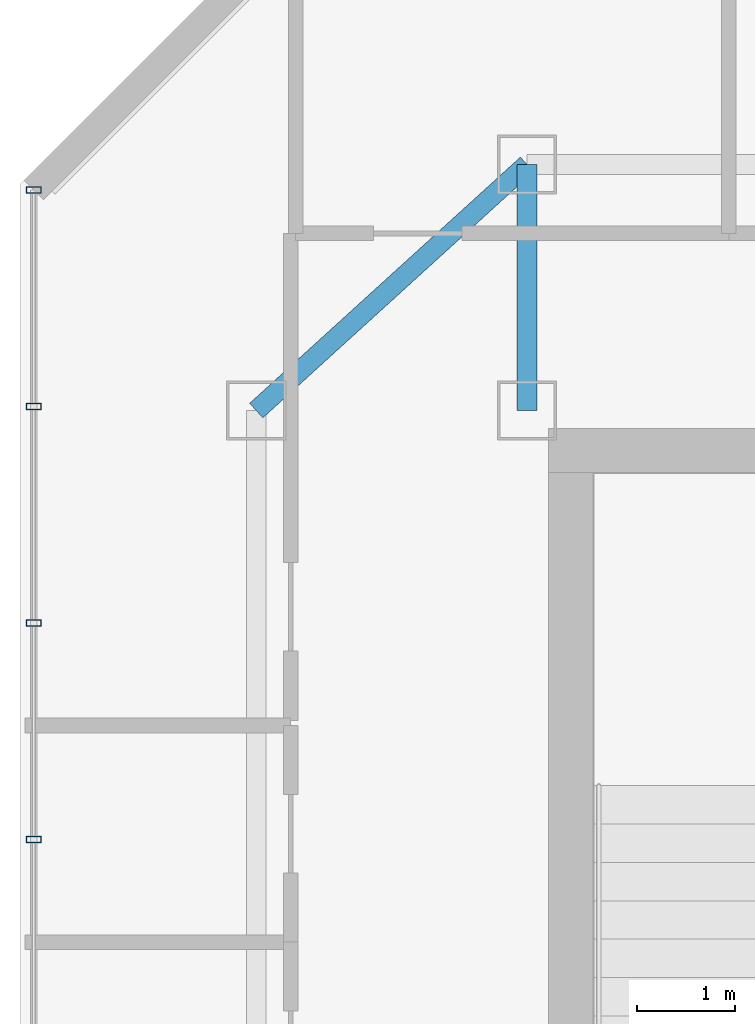
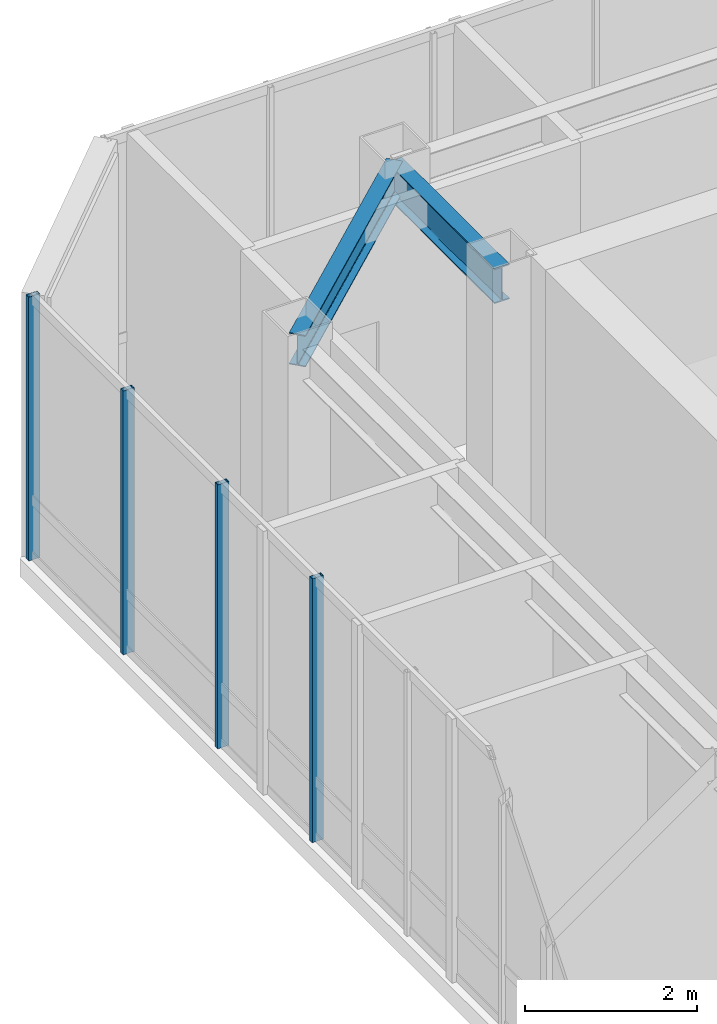
# One storey, part 15 of 30: 4 members, 2 beams, 1 element without a shape of its own.
"""IFC4 building model written with IfcOpenShell, lengths in metres."""

from ifc_helpers import new_model, si_unit, direction, frame, origin, origin_2d, place, context, subcontext, project, spatial, hollow_rectangle, i_section, extrude, material, layer, layer_set, material_profile, profile_set, type_object, element, aggregate, save


model = new_model("IFC4")

# Units and contexts
model_context = context("Model", 3, precision=1e-05, world=origin(), true_north=direction((0.0, 1.0)))
body_context = subcontext(model_context, "Body", "Model", "MODEL_VIEW")
ifc_project = project(units=[si_unit("LENGTHUNIT", "METRE"), si_unit("AREAUNIT", "SQUARE_METRE"), si_unit("VOLUMEUNIT", "CUBIC_METRE"), si_unit("PLANEANGLEUNIT", "RADIAN"), si_unit("MASSUNIT", "GRAM", prefix="KILO")], contexts=[model_context])

# Site, building, storey
site_placement = place(None, origin())
site = spatial("IfcSite", under=ifc_project, at=site_placement, CompositionType="ELEMENT")
building_placement = place(site_placement, origin())
building = spatial("IfcBuilding", under=site, at=building_placement, Name="Hatsunagi Terrace Concourse", CompositionType="ELEMENT")
storey_placement = place(building_placement, frame((0.0, 0.0, 273.949951171875)))
storey = spatial("IfcBuildingStorey", under=building, at=storey_placement, Name="L72", CompositionType="ELEMENT", Elevation=273.949951171875)

# Beam
ifc_material_1 = material(Name="Steel SN490B", Category="steel")
ifc_material_profile_1 = material_profile(ifc_material_1, i_section(OverallWidth=0.199951171875, OverallDepth=0.5, WebThickness=0.010009765625, FlangeThickness=0.01611328125, FilletRadius=0.01611328125, at=origin_2d()), Name="H-500x200x10x16")
ifc_profile_set_1 = profile_set([ifc_material_profile_1], Name="Steel SN490B")
beam_type_1 = type_object("IfcBeamType", Name="CrownFloorGirder_H_500x200", PredefinedType="BEAM", material=ifc_profile_set_1)
beam_1_placement = place(storey_placement, frame((25.550048828125, 43.300048828125, 3.5), z_axis=(0.0, 1.0, 0.0), x_axis=(-1.0, 0.0, 0.0)))
element("IfcBeam", 1, at=beam_1_placement, inside=storey, type_object=beam_type_1, Name="Beam G-07 BM-L72-CN1", PredefinedType="BEAM", context=body_context, shape_type="SweptSolid", body=[
    extrude(i_section(OverallWidth=0.199951171875, OverallDepth=0.5, WebThickness=0.010009765625, FlangeThickness=0.01611328125, FilletRadius=0.01611328125, at=origin_2d()), origin(), (0.0, 0.0, 1.0), 2.5),
])

# Curtain wall, members
ifc_material_2 = material(Name="Anodised Aluminium Alloy 6063-T5", Category="aluminium")
ifc_layer = layer(ifc_material_2, 0.199951171875)
ifc_layer_set = layer_set([ifc_layer], Name="CrownWintergarden_CW06")
curtain_wall_type = type_object("IfcCurtainWallType", Name="CrownWintergarden_CW06", PredefinedType="NOTDEFINED", material=ifc_layer_set)
curtain_wall_placement = place(storey_placement, origin())
curtain_wall = element("IfcCurtainWall", 2, at=curtain_wall_placement, inside=storey, type_object=curtain_wall_type, Name="Unitised Curtain Wall CW-06 CW-L72-07", PredefinedType="NOTDEFINED")
ifc_material_3 = material(Name="Anodised Aluminium Alloy 6063-T5", Category="aluminium")
ifc_material_profile_2 = material_profile(ifc_material_3, hollow_rectangle(XDim=0.06494140625, YDim=0.14990234375, WallThickness=0.00390625, at=origin_2d()), Name="ALU-MUL-150x65x4")
ifc_profile_set_2 = profile_set([ifc_material_profile_2], Name="Anodised Aluminium Alloy 6063-T5")
member_type = type_object("IfcMemberType", Name="CurtainWallMullion_Crown_150x65", PredefinedType="MULLION", material=ifc_profile_set_2)
member_1_placement = place(storey_placement, frame((20.5400390625, 38.94091796875, 0.0), z_axis=(0.0, 0.0, 1.0), x_axis=(0.0, 1.0, 0.0)))
member_1 = element("IfcMember", 3, at=member_1_placement, type_object=member_type, Name="Curtain Wall Mullion MUL-03", PredefinedType="MULLION", context=body_context, shape_type="SweptSolid", body=[
    extrude(hollow_rectangle(XDim=0.06494140625, YDim=0.14990234375, WallThickness=0.00390625, at=origin_2d()), origin(), (0.0, 0.0, 1.0), 3.75),
])
member_2_placement = place(storey_placement, frame((20.5400390625, 41.14208984375, 0.0), z_axis=(0.0, 0.0, 1.0), x_axis=(0.0, 1.0, 0.0)))
member_2 = element("IfcMember", 4, at=member_2_placement, type_object=member_type, Name="Curtain Wall Mullion MUL-03", PredefinedType="MULLION", context=body_context, shape_type="SweptSolid", body=[
    extrude(hollow_rectangle(XDim=0.06494140625, YDim=0.14990234375, WallThickness=0.00390625, at=origin_2d()), origin(), (0.0, 0.0, 1.0), 3.75),
])
member_3_placement = place(storey_placement, frame((20.5400390625, 43.342041015625, 0.0), z_axis=(0.0, 0.0, 1.0), x_axis=(0.0, 1.0, 0.0)))
member_3 = element("IfcMember", 5, at=member_3_placement, type_object=member_type, Name="Curtain Wall Mullion MUL-03", PredefinedType="MULLION", context=body_context, shape_type="SweptSolid", body=[
    extrude(hollow_rectangle(XDim=0.06494140625, YDim=0.14990234375, WallThickness=0.00390625, at=origin_2d()), origin(), (0.0, 0.0, 1.0), 3.75),
])
member_4_placement = place(storey_placement, frame((20.5400390625, 45.5419921875, 0.0), z_axis=(0.0, 0.0, 1.0), x_axis=(0.0, 1.0, 0.0)))
member_4 = element("IfcMember", 6, at=member_4_placement, type_object=member_type, Name="Curtain Wall Mullion MUL-03", PredefinedType="MULLION", context=body_context, shape_type="SweptSolid", body=[
    extrude(hollow_rectangle(XDim=0.06494140625, YDim=0.14990234375, WallThickness=0.00390625, at=origin_2d()), origin(), (0.0, 0.0, 1.0), 3.75),
])
aggregate(curtain_wall, [member_1, member_2, member_3, member_4])

# Beam
ifc_material_4 = material(Name="Steel SN490B", Category="steel")
ifc_material_profile_3 = material_profile(ifc_material_4, i_section(OverallWidth=0.199951171875, OverallDepth=0.449951171875, WebThickness=0.009033203125, FlangeThickness=0.013916015625, FilletRadius=0.01611328125, at=origin_2d()), Name="H-450x200x9x14")
ifc_profile_set_3 = profile_set([ifc_material_profile_3], Name="Steel SN490B")
beam_type_2 = type_object("IfcBeamType", Name="PerimeterSpandrel_H_450x200", PredefinedType="SPANDREL", material=ifc_profile_set_3)
beam_2_placement = place(storey_placement, frame((22.800048828125, 43.300048828125, 3.525146484375), z_axis=(0.739940073396, 0.672672793996, 0.0), x_axis=(-0.672672793996, 0.739940073396, 0.0)))
element("IfcBeam", 7, at=beam_2_placement, inside=storey, type_object=beam_type_2, Name="Beam SP-02 BM-L72-CWEW-N", PredefinedType="SPANDREL", context=body_context, shape_type="SweptSolid", body=[
    extrude(i_section(OverallWidth=0.199951171875, OverallDepth=0.449951171875, WebThickness=0.009033203125, FlangeThickness=0.013916015625, FilletRadius=0.01611328125, at=origin_2d()), origin(), (0.0, 0.0, 1.0), 3.716552734375),
])

save(model, "model.ifc")
